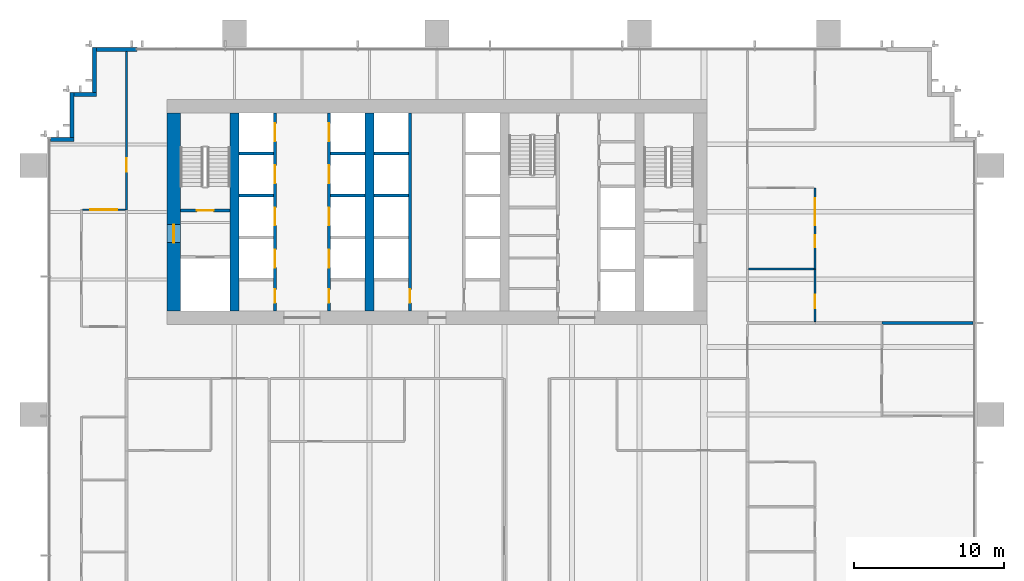
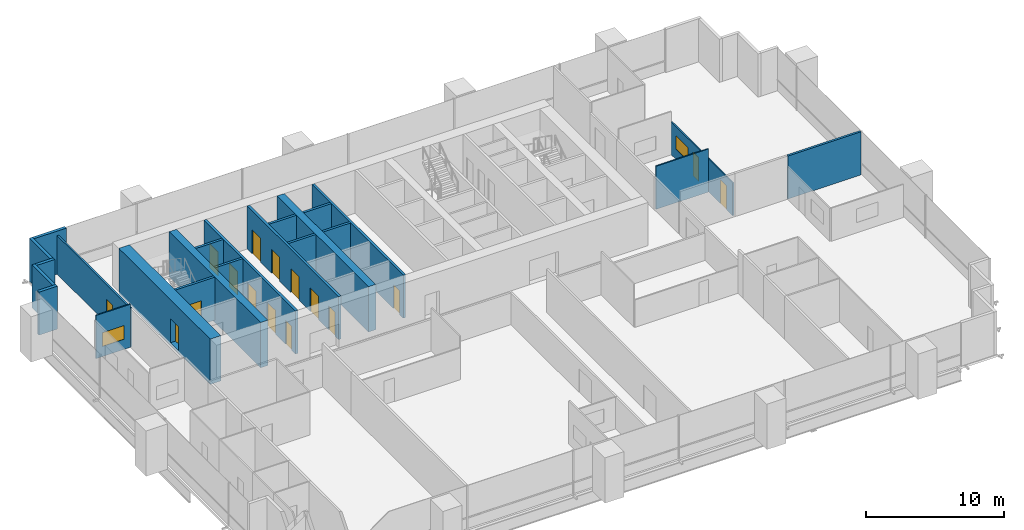
# One storey, part 14 of 17: 24 walls, 16 doors, 2 windows, 18 openings.
"""IFC4 building model written with IfcOpenShell, lengths in metres."""

from ifc_helpers import new_model, si_unit, direction, frame, frame_2d, origin, place, context, subcontext, project, spatial, rectangle, extrude, material, layer, layer_set, type_object, element, fill, save


model = new_model("IFC4")

# Units and contexts
model_context = context("Model", 3, precision=1e-05, world=origin(), true_north=direction((0.0, 1.0)))
body_context = subcontext(model_context, "Body", "Model", "MODEL_VIEW")
ifc_project = project(units=[si_unit("LENGTHUNIT", "METRE"), si_unit("AREAUNIT", "SQUARE_METRE"), si_unit("VOLUMEUNIT", "CUBIC_METRE"), si_unit("PLANEANGLEUNIT", "RADIAN"), si_unit("MASSUNIT", "GRAM", prefix="KILO")], contexts=[model_context])

# Site, building, storey
site_placement = place(None, origin())
site = spatial("IfcSite", under=ifc_project, at=site_placement, CompositionType="ELEMENT")
building_placement = place(site_placement, origin())
building = spatial("IfcBuilding", under=site, at=building_placement, Name="Rattan Terrace Tower", CompositionType="ELEMENT")
storey_placement = place(building_placement, frame((0.0, 0.0, 95.699951171875)))
storey = spatial("IfcBuildingStorey", under=building, at=storey_placement, Name="L21", CompositionType="ELEMENT", Elevation=95.699951171875)

# Wall, opening, door
ifc_material_1 = material(Name="Gypsum board partition")
ifc_layer_1 = layer(ifc_material_1, 0.199951171875)
ifc_layer_set_1 = layer_set([ifc_layer_1], Name="Core partition 200")
wall_type_1 = type_object("IfcWallType", Name="Core partition 200", PredefinedType="PARTITIONING", material=ifc_layer_set_1)
wall_1_placement = place(storey_placement, frame((-17.10009765625, 0.10009765625, 0.0), z_axis=(0.0, 0.0, 1.0), x_axis=(1.0, 0.0, 0.0)))
wall_1 = element("IfcWall", 1, at=wall_1_placement, inside=storey, type_object=wall_type_1, Name="Stair enclosure wall", PredefinedType="PARTITIONING", context=body_context, shape_type="SweptSolid", body=[
    extrude(rectangle(XDim=3.300048828125, YDim=0.199951171875, at=frame_2d((1.64990234375, 0.0))), origin(), (0.0, 0.0, 1.0), 3.800048828125),
])
opening_1_placement = place(wall_1_placement, frame((1.10009765625, 0.0, 0.0)))
opening_1 = element("IfcOpeningElement", 2, at=opening_1_placement, cuts=wall_1, Name="Opening L21-D002", PredefinedType="OPENING", context=body_context, shape_type="SweptSolid", body=[
    extrude(rectangle(XDim=1.10009765625, YDim=2.10009765625, at=frame_2d((0.550048828125, 1.050048828125))), frame((0.0, 0.110595703125, 0.0), z_axis=(0.0, -1.0, 0.0), x_axis=(1.0, 0.0, 0.0)), (0.0, 0.0, 1.0), 0.220947265625),
])
ifc_material_2 = material(Name="Hollow-metal fire door leaf")
door_type_1 = type_object("IfcDoorType", Name="Core stair door 1100", OperationType="NOTDEFINED", PredefinedType="DOOR", material=ifc_material_2)
door_1_placement = place(opening_1_placement, origin())
door_1 = element("IfcDoor", 3, at=door_1_placement, inside=storey, type_object=door_type_1, Name="Door L21-D002", OperationType="SINGLE_SWING_RIGHT", OverallHeight=2.10009765625, OverallWidth=1.10009765625, PredefinedType="DOOR", context=body_context, shape_type="SweptSolid", body=[
    extrude(rectangle(XDim=1.10009765625, YDim=2.10009765625, at=frame_2d((0.550048828125, 1.050048828125))), frame((0.0, 0.02490234375, 0.0), z_axis=(0.0, -1.0, 0.0), x_axis=(1.0, 0.0, 0.0)), (0.0, 0.0, 1.0), 0.050048828125),
])
fill(opening_1, door_1)

ifc_material_3 = material(Name="Concrete C70/85", Category="concrete")
ifc_layer_2 = layer(ifc_material_3, 0.89990234375)
ifc_layer_set_2 = layer_set([ifc_layer_2], Name="Core ring wall 900 C70/85")
wall_type_2 = type_object("IfcWallType", Name="Core ring wall 900 C70/85", PredefinedType="SHEAR", material=ifc_layer_set_2)
wall_2_placement = place(storey_placement, frame((-17.550048828125, -6.60009765625, -0.199951171875), z_axis=(0.0, 0.0, 1.0), x_axis=(0.0, 1.0, 0.0)))
wall_2 = element("IfcWall", 4, at=wall_2_placement, inside=storey, type_object=wall_type_2, Name="Rear core wall west", PredefinedType="SHEAR", context=body_context, shape_type="SweptSolid", body=[
    extrude(rectangle(XDim=13.2001953125, YDim=0.89990234375, at=frame_2d((6.60009765625, 0.0))), origin(), (0.0, 0.0, 1.0), 4.0),
])
opening_2_placement = place(wall_2_placement, frame((4.550048828125, 0.0, 0.199951171875)))
opening_2 = element("IfcOpeningElement", 5, at=opening_2_placement, cuts=wall_2, Name="Opening L21-D001", PredefinedType="OPENING", context=body_context, shape_type="SweptSolid", body=[
    extrude(rectangle(XDim=1.199951171875, YDim=2.10009765625, at=frame_2d((0.60009765625, 1.050048828125))), frame((0.0, 0.46044921875, 0.0), z_axis=(0.0, -1.0, 0.0), x_axis=(1.0, 0.0, 0.0)), (0.0, 0.0, 1.0), 0.9208984375),
])
ifc_material_4 = material(Name="Hollow-metal fire door leaf")
door_type_2 = type_object("IfcDoorType", Name="Core fire-fighting lobby door 1200", OperationType="NOTDEFINED", PredefinedType="DOOR", material=ifc_material_4)
door_2_placement = place(opening_2_placement, origin())
door_2 = element("IfcDoor", 6, at=door_2_placement, inside=storey, type_object=door_type_2, Name="Door L21-D001", OperationType="SINGLE_SWING_LEFT", OverallHeight=2.10009765625, OverallWidth=1.199951171875, PredefinedType="DOOR", context=body_context, shape_type="SweptSolid", body=[
    extrude(rectangle(XDim=1.199951171875, YDim=2.10009765625, at=frame_2d((0.60009765625, 1.050048828125))), frame((0.0, 0.02490234375, 0.0), z_axis=(0.0, -1.0, 0.0), x_axis=(1.0, 0.0, 0.0)), (0.0, 0.0, 1.0), 0.050048828125),
])
fill(opening_2, door_2)

# Walls
ifc_material_5 = material(Name="Concrete C70/85", Category="concrete")
ifc_layer_3 = layer(ifc_material_5, 0.60009765625)
ifc_layer_set_3 = layer_set([ifc_layer_3], Name="Core spine wall 600 C70/85")
wall_type_3 = type_object("IfcWallType", Name="Core spine wall 600 C70/85", PredefinedType="SHEAR", material=ifc_layer_set_3)
for number, where, z_axis, x_axis, name in (
    (7, (-13.5, -6.60009765625, -0.199951171875), (0.0, 0.0, 1.0), (0.0, 1.0, 0.0), "Core spine wall 1"),
    (8, (-4.5, -6.60009765625, -0.199951171875), (0.0, 0.0, 1.0), (0.0, 1.0, 0.0), "Core spine wall 2"),
):
    element("IfcWall", number, at=place(storey_placement, frame(where, z_axis=z_axis, x_axis=x_axis)), inside=storey, type_object=wall_type_3, Name=name, PredefinedType="SHEAR", context=body_context, shape_type="SweptSolid", body=[
        extrude(rectangle(XDim=13.2001953125, YDim=0.60009765625, at=frame_2d((6.60009765625, 0.0))), origin(), (0.0, 0.0, 1.0), 4.0),
    ])
ifc_material_6 = material(Name="Insulated aluminium-clad stud wall", Category="aluminium")
ifc_layer_4 = layer(ifc_material_6, 0.25)
ifc_layer_set_4 = layer_set([ifc_layer_4], Name="Facade Riser Wall 250")
wall_type_4 = type_object("IfcWallType", Name="Facade Riser Wall 250", PredefinedType="SOLIDWALL", material=ifc_layer_set_4)
wall_3_placement = place(storey_placement, frame((-20.0, 10.830078125, 0.0), z_axis=(0.0, 0.0, 1.0), x_axis=(-1.0, 0.0, 0.0)))
element("IfcWall", 9, at=wall_3_placement, inside=storey, type_object=wall_type_4, Name="Riser wall L21-11", PredefinedType="SOLIDWALL", context=body_context, shape_type="SweptSolid", body=[
    extrude(rectangle(XDim=2.705078125, YDim=0.25, at=frame_2d((1.3525390625, 0.0))), origin(), (0.0, 0.0, 1.0), 3.800048828125),
])
wall_4_placement = place(storey_placement, frame((-22.830078125, 10.955078125, 0.0), z_axis=(0.0, 0.0, 1.0), x_axis=(0.0, -1.0, 0.0)))
element("IfcWall", 10, at=wall_4_placement, inside=storey, type_object=wall_type_4, Name="Riser wall L21-12", PredefinedType="SOLIDWALL", context=body_context, shape_type="SweptSolid", body=[
    extrude(rectangle(XDim=3.0, YDim=0.25, at=frame_2d((1.5, 0.0))), origin(), (0.0, 0.0, 1.0), 3.800048828125),
])
wall_5_placement = place(storey_placement, frame((-22.705078125, 7.830078125, 0.0), z_axis=(0.0, 0.0, 1.0), x_axis=(-1.0, 0.0, 0.0)))
element("IfcWall", 11, at=wall_5_placement, inside=storey, type_object=wall_type_4, Name="Riser wall L21-13", PredefinedType="SOLIDWALL", context=body_context, shape_type="SweptSolid", body=[
    extrude(rectangle(XDim=1.5, YDim=0.25, at=frame_2d((0.75, 0.0))), origin(), (0.0, 0.0, 1.0), 3.800048828125),
])
wall_6_placement = place(storey_placement, frame((-24.330078125, 7.955078125, 0.0), z_axis=(0.0, 0.0, 1.0), x_axis=(0.0, -1.0, 0.0)))
element("IfcWall", 12, at=wall_6_placement, inside=storey, type_object=wall_type_4, Name="Riser wall L21-14", PredefinedType="SOLIDWALL", context=body_context, shape_type="SweptSolid", body=[
    extrude(rectangle(XDim=3.0, YDim=0.25, at=frame_2d((1.5, 0.0))), origin(), (0.0, 0.0, 1.0), 3.800048828125),
])
wall_7_placement = place(storey_placement, frame((-24.205078125, 4.830078125, 0.0), z_axis=(0.0, 0.0, 1.0), x_axis=(-1.0, 0.0, 0.0)))
element("IfcWall", 13, at=wall_7_placement, inside=storey, type_object=wall_type_4, Name="Riser wall L21-15", PredefinedType="SOLIDWALL", context=body_context, shape_type="SweptSolid", body=[
    extrude(rectangle(XDim=1.544921875, YDim=0.25, at=frame_2d((0.7724609375, 0.0))), origin(), (0.0, 0.0, 1.0), 3.800048828125),
])
ifc_material_7 = material(Name="Double steel stud acoustic partition, gypsum board, mineral wool, fire rated", Category="steel")
ifc_layer_5 = layer(ifc_material_7, 0.179931640625)
ifc_layer_set_5 = layer_set([ifc_layer_5], Name="Floors Acoustic Party Wall 180")
wall_type_5 = type_object("IfcWallType", Name="Floors Acoustic Party Wall 180", PredefinedType="PARTITIONING", material=ifc_layer_set_5)
wall_8_placement = place(storey_placement, frame((29.659912109375, -7.39990234375, 0.0), z_axis=(0.0, 0.0, 1.0), x_axis=(1.0, 0.0, 0.0)))
element("IfcWall", 14, at=wall_8_placement, inside=storey, type_object=wall_type_5, Name="pt-L21-045", PredefinedType="PARTITIONING", context=body_context, shape_type="SweptSolid", body=[
    extrude(rectangle(XDim=6.080078125, YDim=0.179931640625, at=frame_2d((3.0400390625, 0.0))), origin(), (0.0, 0.0, 1.0), 3.800048828125),
])

# Wall, opening, window
ifc_material_8 = material(Name="Gypsum board partition on steel studs", Category="steel")
ifc_layer_6 = layer(ifc_material_8, 0.10009765625)
ifc_layer_set_6 = layer_set([ifc_layer_6], Name="Floors Partition 100")
wall_type_6 = type_object("IfcWallType", Name="Floors Partition 100", PredefinedType="PARTITIONING", material=ifc_layer_set_6)
wall_9_placement = place(storey_placement, frame((-20.77490234375, 0.139892578125, 0.0), z_axis=(0.0, 0.0, 1.0), x_axis=(-1.0, 0.0, 0.0)))
wall_9 = element("IfcWall", 15, at=wall_9_placement, inside=storey, type_object=wall_type_6, Name="pt-L21-025", PredefinedType="PARTITIONING", context=body_context, shape_type="SweptSolid", body=[
    extrude(rectangle(XDim=2.875, YDim=0.10009765625, at=frame_2d((1.4375, 0.0))), origin(), (0.0, 0.0, 1.0), 3.800048828125),
])
opening_3_placement = place(wall_9_placement, frame((0.537109375, 0.0, 0.89990234375)))
opening_3 = element("IfcOpeningElement", 16, at=opening_3_placement, cuts=wall_9, Name="Opening L21-W102", PredefinedType="OPENING", context=body_context, shape_type="SweptSolid", body=[
    extrude(rectangle(XDim=1.800048828125, YDim=1.199951171875, at=frame_2d((0.89990234375, 0.60009765625))), frame((0.0, 0.060546875, 0.0), z_axis=(0.0, -1.0, 0.0), x_axis=(1.0, 0.0, 0.0)), (0.0, 0.0, 1.0), 0.12109375),
])
ifc_material_9 = material(Name="Glass, clear, fixed in aluminium frame", Category="aluminium")
window_type = type_object("IfcWindowType", Name="Interior Vision Window 1800x1200", PartitioningType="SINGLE_PANEL", PredefinedType="WINDOW", material=ifc_material_9)
window_1_placement = place(opening_3_placement, origin())
window_1 = element("IfcWindow", 17, at=window_1_placement, inside=storey, type_object=window_type, Name="w-L21-102", OverallHeight=1.199951171875, OverallWidth=1.800048828125, PartitioningType="SINGLE_PANEL", PredefinedType="WINDOW", context=body_context, shape_type="SweptSolid", body=[
    extrude(rectangle(XDim=1.800048828125, YDim=1.199951171875, at=frame_2d((0.89990234375, 0.60009765625))), frame((0.0, 0.030029296875, 0.0), z_axis=(0.0, -1.0, 0.0), x_axis=(1.0, 0.0, 0.0)), (0.0, 0.0, 1.0), 0.06005859375),
])
fill(opening_3, window_1)

# Wall, opening, door
wall_10_placement = place(storey_placement, frame((25.199951171875, -7.31005859375, 0.0), z_axis=(0.0, 0.0, 1.0), x_axis=(0.0, 1.0, 0.0)))
wall_10 = element("IfcWall", 18, at=wall_10_placement, inside=storey, type_object=wall_type_6, Name="pt-L21-051", PredefinedType="PARTITIONING", context=body_context, shape_type="SweptSolid", body=[
    extrude(rectangle(XDim=3.489990234375, YDim=0.10009765625, at=frame_2d((1.7451171875, 0.0))), origin(), (0.0, 0.0, 1.0), 2.900146484375),
])
opening_4_placement = place(wall_10_placement, frame((0.876953125, 0.0, 0.0)))
opening_4 = element("IfcOpeningElement", 19, at=opening_4_placement, cuts=wall_10, Name="Opening L21-D112", PredefinedType="OPENING", context=body_context, shape_type="SweptSolid", body=[
    extrude(rectangle(XDim=0.89990234375, YDim=2.10009765625, at=frame_2d((0.449951171875, 1.050048828125))), frame((0.0, 0.060546875, 0.0), z_axis=(0.0, -1.0, 0.0), x_axis=(1.0, 0.0, 0.0)), (0.0, 0.0, 1.0), 0.12109375),
])
ifc_material_10 = material(Name="Solid core timber door, painted", Category="wood")
door_type_3 = type_object("IfcDoorType", Name="Floors Door 900x2100", OperationType="NOTDEFINED", PredefinedType="DOOR", material=ifc_material_10)
door_3_placement = place(opening_4_placement, origin())
door_3 = element("IfcDoor", 20, at=door_3_placement, inside=storey, type_object=door_type_3, Name="d-L21-112", OperationType="SINGLE_SWING_LEFT", OverallHeight=2.10009765625, OverallWidth=0.89990234375, PredefinedType="DOOR", context=body_context, shape_type="SweptSolid", body=[
    extrude(rectangle(XDim=0.89990234375, YDim=2.10009765625, at=frame_2d((0.449951171875, 1.050048828125))), frame((0.0, 0.02490234375, 0.0), z_axis=(0.0, -1.0, 0.0), x_axis=(1.0, 0.0, 0.0)), (0.0, 0.0, 1.0), 0.050048828125),
])
fill(opening_4, door_3)

# Wall, openings, door, window
wall_11_placement = place(storey_placement, frame((25.199951171875, -3.820068359375, 0.0), z_axis=(0.0, 0.0, 1.0), x_axis=(0.0, 1.0, 0.0)))
wall_11 = element("IfcWall", 21, at=wall_11_placement, inside=storey, type_object=wall_type_6, Name="pt-L21-053", PredefinedType="PARTITIONING", context=body_context, shape_type="SweptSolid", body=[
    extrude(rectangle(XDim=5.420166015625, YDim=0.10009765625, at=frame_2d((2.7099609375, 0.0))), origin(), (0.0, 0.0, 1.0), 2.900146484375),
])
opening_5_placement = place(wall_11_placement, frame((1.486083984375, 0.0, 0.0)))
opening_5 = element("IfcOpeningElement", 22, at=opening_5_placement, cuts=wall_11, Name="Opening L21-D113", PredefinedType="OPENING", context=body_context, shape_type="SweptSolid", body=[
    extrude(rectangle(XDim=0.800048828125, YDim=2.10009765625, at=frame_2d((0.39990234375, 1.050048828125))), frame((0.0, 0.060546875, 0.0), z_axis=(0.0, -1.0, 0.0), x_axis=(1.0, 0.0, 0.0)), (0.0, 0.0, 1.0), 0.12109375),
])
opening_6_placement = place(wall_11_placement, frame((2.927978515625, 0.0, 0.89990234375)))
opening_6 = element("IfcOpeningElement", 23, at=opening_6_placement, cuts=wall_11, Name="Opening L21-W106", PredefinedType="OPENING", context=body_context, shape_type="SweptSolid", body=[
    extrude(rectangle(XDim=1.800048828125, YDim=1.199951171875, at=frame_2d((0.89990234375, 0.60009765625))), frame((0.0, 0.060546875, 0.0), z_axis=(0.0, -1.0, 0.0), x_axis=(1.0, 0.0, 0.0)), (0.0, 0.0, 1.0), 0.12109375),
])
ifc_material_11 = material(Name="Solid core timber door, painted", Category="wood")
door_type_4 = type_object("IfcDoorType", Name="Floors Store Door 800x2100", OperationType="NOTDEFINED", PredefinedType="DOOR", material=ifc_material_11)
door_4_placement = place(opening_5_placement, origin())
door_4 = element("IfcDoor", 24, at=door_4_placement, inside=storey, type_object=door_type_4, Name="d-L21-113", OperationType="SINGLE_SWING_LEFT", OverallHeight=2.10009765625, OverallWidth=0.800048828125, PredefinedType="DOOR", context=body_context, shape_type="SweptSolid", body=[
    extrude(rectangle(XDim=0.800048828125, YDim=2.10009765625, at=frame_2d((0.39990234375, 1.050048828125))), frame((0.0, 0.02490234375, 0.0), z_axis=(0.0, -1.0, 0.0), x_axis=(1.0, 0.0, 0.0)), (0.0, 0.0, 1.0), 0.050048828125),
])
fill(opening_5, door_4)
window_2_placement = place(opening_6_placement, origin())
window_2 = element("IfcWindow", 25, at=window_2_placement, inside=storey, type_object=window_type, Name="w-L21-106", OverallHeight=1.199951171875, OverallWidth=1.800048828125, PartitioningType="SINGLE_PANEL", PredefinedType="WINDOW", context=body_context, shape_type="SweptSolid", body=[
    extrude(rectangle(XDim=1.800048828125, YDim=1.199951171875, at=frame_2d((0.89990234375, 0.60009765625))), frame((0.0, 0.030029296875, 0.0), z_axis=(0.0, -1.0, 0.0), x_axis=(1.0, 0.0, 0.0)), (0.0, 0.0, 1.0), 0.06005859375),
])
fill(opening_6, window_2)

# Wall
wall_12_placement = place(storey_placement, frame((20.77490234375, -3.800048828125, 0.0), z_axis=(0.0, 0.0, 1.0), x_axis=(1.0, 0.0, 0.0)))
element("IfcWall", 26, at=wall_12_placement, inside=storey, type_object=wall_type_6, Name="pt-L21-056", PredefinedType="PARTITIONING", context=body_context, shape_type="SweptSolid", body=[
    extrude(rectangle(XDim=4.375, YDim=0.10009765625, at=frame_2d((2.1875, 0.0))), origin(), (0.0, 0.0, 1.0), 3.800048828125),
])

# Wall, opening, door
ifc_material_12 = material(Name="Gypsum board partition on steel studs, fire rated", Category="steel")
ifc_layer_7 = layer(ifc_material_12, 0.14990234375)
ifc_layer_set_7 = layer_set([ifc_layer_7], Name="Floors Tenancy Wall 150")
wall_type_7 = type_object("IfcWallType", Name="Floors Tenancy Wall 150", PredefinedType="PARTITIONING", material=ifc_layer_set_7)
wall_13_placement = place(storey_placement, frame((-20.699951171875, 0.1201171875, 0.0), z_axis=(0.0, 0.0, 1.0), x_axis=(0.0, 1.0, 0.0)))
wall_13 = element("IfcWall", 27, at=wall_13_placement, inside=storey, type_object=wall_type_7, Name="pt-L21-002", PredefinedType="PARTITIONING", context=body_context, shape_type="SweptSolid", body=[
    extrude(rectangle(XDim=10.619873046875, YDim=0.14990234375, at=frame_2d((5.31005859375, 0.0))), origin(), (0.0, 0.0, 1.0), 3.400146484375),
])
opening_7_placement = place(wall_13_placement, frame((2.554931640625, 0.0, 0.0)))
opening_7 = element("IfcOpeningElement", 28, at=opening_7_placement, cuts=wall_13, Name="Opening L21-D100", PredefinedType="OPENING", context=body_context, shape_type="SweptSolid", body=[
    extrude(rectangle(XDim=0.89990234375, YDim=2.10009765625, at=frame_2d((0.449951171875, 1.050048828125))), frame((0.0, 0.08544921875, 0.0), z_axis=(0.0, -1.0, 0.0), x_axis=(1.0, 0.0, 0.0)), (0.0, 0.0, 1.0), 0.1708984375),
])
ifc_material_13 = material(Name="Steel fire door set", Category="steel")
door_type_5 = type_object("IfcDoorType", Name="Floors Fire Door FD30S 900x2100", OperationType="NOTDEFINED", PredefinedType="DOOR", material=ifc_material_13)
door_5_placement = place(opening_7_placement, origin())
door_5 = element("IfcDoor", 29, at=door_5_placement, inside=storey, type_object=door_type_5, Name="d-L21-100", OperationType="SINGLE_SWING_LEFT", OverallHeight=2.10009765625, OverallWidth=0.89990234375, PredefinedType="DOOR", context=body_context, shape_type="SweptSolid", body=[
    extrude(rectangle(XDim=0.89990234375, YDim=2.10009765625, at=frame_2d((0.449951171875, 1.050048828125))), frame((0.0, 0.02490234375, 0.0), z_axis=(0.0, -1.0, 0.0), x_axis=(1.0, 0.0, 0.0)), (0.0, 0.0, 1.0), 0.050048828125),
])
fill(opening_7, door_5)

# Wall, openings, doors
ifc_material_14 = material(Name="Gypsum shaft wall system")
ifc_layer_8 = layer(ifc_material_14, 0.199951171875)
ifc_layer_set_8 = layer_set([ifc_layer_8], Name="Lift shaft wall 200")
wall_type_8 = type_object("IfcWallType", Name="Lift shaft wall 200", PredefinedType="PARTITIONING", material=ifc_layer_set_8)
wall_14_placement = place(storey_placement, frame((-10.800048828125, -6.60009765625, 0.0), z_axis=(0.0, 0.0, 1.0), x_axis=(0.0, 1.0, 0.0)))
wall_14 = element("IfcWall", 30, at=wall_14_placement, inside=storey, type_object=wall_type_8, Name="Lift shaft front wall", PredefinedType="PARTITIONING", context=body_context, shape_type="SweptSolid", body=[
    extrude(rectangle(XDim=13.2001953125, YDim=0.199951171875, at=frame_2d((6.60009765625, 0.0))), origin(), (0.0, 0.0, 1.0), 3.800048828125),
])
opening_8_placement = place(wall_14_placement, frame((0.550048828125, 0.0, 0.0)))
opening_8 = element("IfcOpeningElement", 31, at=opening_8_placement, cuts=wall_14, Name="Opening L21-D005", PredefinedType="OPENING", context=body_context, shape_type="SweptSolid", body=[
    extrude(rectangle(XDim=0.89990234375, YDim=2.10009765625, at=frame_2d((0.449951171875, 1.050048828125))), frame((0.0, 0.110595703125, 0.0), z_axis=(0.0, -1.0, 0.0), x_axis=(1.0, 0.0, 0.0)), (0.0, 0.0, 1.0), 0.220947265625),
])
opening_9_placement = place(wall_14_placement, frame((2.89990234375, 0.0, 0.0)))
opening_9 = element("IfcOpeningElement", 32, at=opening_9_placement, cuts=wall_14, Name="Opening L21-LD-LR1", PredefinedType="OPENING", context=body_context, shape_type="SweptSolid", body=[
    extrude(rectangle(XDim=1.199951171875, YDim=2.10009765625, at=frame_2d((0.60009765625, 1.050048828125))), frame((0.0, 0.110595703125, 0.0), z_axis=(0.0, -1.0, 0.0), x_axis=(1.0, 0.0, 0.0)), (0.0, 0.0, 1.0), 0.220947265625),
])
opening_10_placement = place(wall_14_placement, frame((5.699951171875, 0.0, 0.0)))
opening_10 = element("IfcOpeningElement", 33, at=opening_10_placement, cuts=wall_14, Name="Opening L21-LD-LR2", PredefinedType="OPENING", context=body_context, shape_type="SweptSolid", body=[
    extrude(rectangle(XDim=1.199951171875, YDim=2.10009765625, at=frame_2d((0.60009765625, 1.050048828125))), frame((0.0, 0.110595703125, 0.0), z_axis=(0.0, -1.0, 0.0), x_axis=(1.0, 0.0, 0.0)), (0.0, 0.0, 1.0), 0.220947265625),
])
opening_11_placement = place(wall_14_placement, frame((8.5, 0.0, 0.0)))
opening_11 = element("IfcOpeningElement", 34, at=opening_11_placement, cuts=wall_14, Name="Opening L21-LD-LR3", PredefinedType="OPENING", context=body_context, shape_type="SweptSolid", body=[
    extrude(rectangle(XDim=1.199951171875, YDim=2.10009765625, at=frame_2d((0.60009765625, 1.050048828125))), frame((0.0, 0.110595703125, 0.0), z_axis=(0.0, -1.0, 0.0), x_axis=(1.0, 0.0, 0.0)), (0.0, 0.0, 1.0), 0.220947265625),
])
opening_12_placement = place(wall_14_placement, frame((11.300048828125, 0.0, 0.0)))
opening_12 = element("IfcOpeningElement", 35, at=opening_12_placement, cuts=wall_14, Name="Opening L21-LD-LR4", PredefinedType="OPENING", context=body_context, shape_type="SweptSolid", body=[
    extrude(rectangle(XDim=1.199951171875, YDim=2.10009765625, at=frame_2d((0.60009765625, 1.050048828125))), frame((0.0, 0.110595703125, 0.0), z_axis=(0.0, -1.0, 0.0), x_axis=(1.0, 0.0, 0.0)), (0.0, 0.0, 1.0), 0.220947265625),
])
ifc_material_15 = material(Name="Brushed stainless landing door panel")
door_type_6 = type_object("IfcDoorType", Name="Core lift landing door 1200", OperationType="DOUBLE_DOOR_SLIDING", PredefinedType="DOOR", material=ifc_material_15)
door_6_placement = place(opening_9_placement, origin())
door_6 = element("IfcDoor", 36, at=door_6_placement, inside=storey, type_object=door_type_6, Name="Door L21-LD-LR1", OperationType="DOUBLE_DOOR_SLIDING", OverallHeight=2.10009765625, OverallWidth=1.199951171875, PredefinedType="DOOR", context=body_context, shape_type="SweptSolid", body=[
    extrude(rectangle(XDim=1.199951171875, YDim=2.10009765625, at=frame_2d((0.60009765625, 1.050048828125))), frame((0.0, 0.02490234375, 0.0), z_axis=(0.0, -1.0, 0.0), x_axis=(1.0, 0.0, 0.0)), (0.0, 0.0, 1.0), 0.050048828125),
])
fill(opening_9, door_6)
door_7_placement = place(opening_10_placement, origin())
door_7 = element("IfcDoor", 37, at=door_7_placement, inside=storey, type_object=door_type_6, Name="Door L21-LD-LR2", OperationType="DOUBLE_DOOR_SLIDING", OverallHeight=2.10009765625, OverallWidth=1.199951171875, PredefinedType="DOOR", context=body_context, shape_type="SweptSolid", body=[
    extrude(rectangle(XDim=1.199951171875, YDim=2.10009765625, at=frame_2d((0.60009765625, 1.050048828125))), frame((0.0, 0.02490234375, 0.0), z_axis=(0.0, -1.0, 0.0), x_axis=(1.0, 0.0, 0.0)), (0.0, 0.0, 1.0), 0.050048828125),
])
fill(opening_10, door_7)
door_8_placement = place(opening_11_placement, origin())
door_8 = element("IfcDoor", 38, at=door_8_placement, inside=storey, type_object=door_type_6, Name="Door L21-LD-LR3", OperationType="DOUBLE_DOOR_SLIDING", OverallHeight=2.10009765625, OverallWidth=1.199951171875, PredefinedType="DOOR", context=body_context, shape_type="SweptSolid", body=[
    extrude(rectangle(XDim=1.199951171875, YDim=2.10009765625, at=frame_2d((0.60009765625, 1.050048828125))), frame((0.0, 0.02490234375, 0.0), z_axis=(0.0, -1.0, 0.0), x_axis=(1.0, 0.0, 0.0)), (0.0, 0.0, 1.0), 0.050048828125),
])
fill(opening_11, door_8)
door_9_placement = place(opening_12_placement, origin())
door_9 = element("IfcDoor", 39, at=door_9_placement, inside=storey, type_object=door_type_6, Name="Door L21-LD-LR4", OperationType="DOUBLE_DOOR_SLIDING", OverallHeight=2.10009765625, OverallWidth=1.199951171875, PredefinedType="DOOR", context=body_context, shape_type="SweptSolid", body=[
    extrude(rectangle(XDim=1.199951171875, YDim=2.10009765625, at=frame_2d((0.60009765625, 1.050048828125))), frame((0.0, 0.02490234375, 0.0), z_axis=(0.0, -1.0, 0.0), x_axis=(1.0, 0.0, 0.0)), (0.0, 0.0, 1.0), 0.050048828125),
])
fill(opening_12, door_9)
ifc_material_16 = material(Name="Hollow-metal fire door leaf")
door_type_7 = type_object("IfcDoorType", Name="Core riser door 900", OperationType="NOTDEFINED", PredefinedType="DOOR", material=ifc_material_16)
door_10_placement = place(opening_8_placement, origin())
door_10 = element("IfcDoor", 40, at=door_10_placement, inside=storey, type_object=door_type_7, Name="Door L21-D005", OperationType="SINGLE_SWING_LEFT", OverallHeight=2.10009765625, OverallWidth=0.89990234375, PredefinedType="DOOR", context=body_context, shape_type="SweptSolid", body=[
    extrude(rectangle(XDim=0.89990234375, YDim=2.10009765625, at=frame_2d((0.449951171875, 1.050048828125))), frame((0.0, 0.02490234375, 0.0), z_axis=(0.0, -1.0, 0.0), x_axis=(1.0, 0.0, 0.0)), (0.0, 0.0, 1.0), 0.050048828125),
])
fill(opening_8, door_10)

wall_15_placement = place(storey_placement, frame((-7.199951171875, -6.60009765625, 0.0), z_axis=(0.0, 0.0, 1.0), x_axis=(0.0, 1.0, 0.0)))
wall_15 = element("IfcWall", 41, at=wall_15_placement, inside=storey, type_object=wall_type_8, Name="Lift shaft front wall", PredefinedType="PARTITIONING", context=body_context, shape_type="SweptSolid", body=[
    extrude(rectangle(XDim=13.2001953125, YDim=0.199951171875, at=frame_2d((6.60009765625, 0.0))), origin(), (0.0, 0.0, 1.0), 3.800048828125),
])
opening_13_placement = place(wall_15_placement, frame((0.550048828125, 0.0, 0.0)))
opening_13 = element("IfcOpeningElement", 42, at=opening_13_placement, cuts=wall_15, Name="Opening L21-D006", PredefinedType="OPENING", context=body_context, shape_type="SweptSolid", body=[
    extrude(rectangle(XDim=0.89990234375, YDim=2.10009765625, at=frame_2d((0.449951171875, 1.050048828125))), frame((0.0, 0.110595703125, 0.0), z_axis=(0.0, -1.0, 0.0), x_axis=(1.0, 0.0, 0.0)), (0.0, 0.0, 1.0), 0.220947265625),
])
opening_14_placement = place(wall_15_placement, frame((2.89990234375, 0.0, 0.0)))
opening_14 = element("IfcOpeningElement", 43, at=opening_14_placement, cuts=wall_15, Name="Opening L21-LD-LR5", PredefinedType="OPENING", context=body_context, shape_type="SweptSolid", body=[
    extrude(rectangle(XDim=1.199951171875, YDim=2.10009765625, at=frame_2d((0.60009765625, 1.050048828125))), frame((0.0, 0.110595703125, 0.0), z_axis=(0.0, -1.0, 0.0), x_axis=(1.0, 0.0, 0.0)), (0.0, 0.0, 1.0), 0.220947265625),
])
opening_15_placement = place(wall_15_placement, frame((5.699951171875, 0.0, 0.0)))
opening_15 = element("IfcOpeningElement", 44, at=opening_15_placement, cuts=wall_15, Name="Opening L21-LD-LR6", PredefinedType="OPENING", context=body_context, shape_type="SweptSolid", body=[
    extrude(rectangle(XDim=1.199951171875, YDim=2.10009765625, at=frame_2d((0.60009765625, 1.050048828125))), frame((0.0, 0.110595703125, 0.0), z_axis=(0.0, -1.0, 0.0), x_axis=(1.0, 0.0, 0.0)), (0.0, 0.0, 1.0), 0.220947265625),
])
opening_16_placement = place(wall_15_placement, frame((8.5, 0.0, 0.0)))
opening_16 = element("IfcOpeningElement", 45, at=opening_16_placement, cuts=wall_15, Name="Opening L21-LD-LR7", PredefinedType="OPENING", context=body_context, shape_type="SweptSolid", body=[
    extrude(rectangle(XDim=1.199951171875, YDim=2.10009765625, at=frame_2d((0.60009765625, 1.050048828125))), frame((0.0, 0.110595703125, 0.0), z_axis=(0.0, -1.0, 0.0), x_axis=(1.0, 0.0, 0.0)), (0.0, 0.0, 1.0), 0.220947265625),
])
opening_17_placement = place(wall_15_placement, frame((11.300048828125, 0.0, 0.0)))
opening_17 = element("IfcOpeningElement", 46, at=opening_17_placement, cuts=wall_15, Name="Opening L21-LD-LR8", PredefinedType="OPENING", context=body_context, shape_type="SweptSolid", body=[
    extrude(rectangle(XDim=1.199951171875, YDim=2.10009765625, at=frame_2d((0.60009765625, 1.050048828125))), frame((0.0, 0.110595703125, 0.0), z_axis=(0.0, -1.0, 0.0), x_axis=(1.0, 0.0, 0.0)), (0.0, 0.0, 1.0), 0.220947265625),
])
door_11_placement = place(opening_14_placement, origin())
door_11 = element("IfcDoor", 47, at=door_11_placement, inside=storey, type_object=door_type_6, Name="Door L21-LD-LR5", OperationType="DOUBLE_DOOR_SLIDING", OverallHeight=2.10009765625, OverallWidth=1.199951171875, PredefinedType="DOOR", context=body_context, shape_type="SweptSolid", body=[
    extrude(rectangle(XDim=1.199951171875, YDim=2.10009765625, at=frame_2d((0.60009765625, 1.050048828125))), frame((0.0, 0.02490234375, 0.0), z_axis=(0.0, -1.0, 0.0), x_axis=(1.0, 0.0, 0.0)), (0.0, 0.0, 1.0), 0.050048828125),
])
fill(opening_14, door_11)
door_12_placement = place(opening_15_placement, origin())
door_12 = element("IfcDoor", 48, at=door_12_placement, inside=storey, type_object=door_type_6, Name="Door L21-LD-LR6", OperationType="DOUBLE_DOOR_SLIDING", OverallHeight=2.10009765625, OverallWidth=1.199951171875, PredefinedType="DOOR", context=body_context, shape_type="SweptSolid", body=[
    extrude(rectangle(XDim=1.199951171875, YDim=2.10009765625, at=frame_2d((0.60009765625, 1.050048828125))), frame((0.0, 0.02490234375, 0.0), z_axis=(0.0, -1.0, 0.0), x_axis=(1.0, 0.0, 0.0)), (0.0, 0.0, 1.0), 0.050048828125),
])
fill(opening_15, door_12)
door_13_placement = place(opening_16_placement, origin())
door_13 = element("IfcDoor", 49, at=door_13_placement, inside=storey, type_object=door_type_6, Name="Door L21-LD-LR7", OperationType="DOUBLE_DOOR_SLIDING", OverallHeight=2.10009765625, OverallWidth=1.199951171875, PredefinedType="DOOR", context=body_context, shape_type="SweptSolid", body=[
    extrude(rectangle(XDim=1.199951171875, YDim=2.10009765625, at=frame_2d((0.60009765625, 1.050048828125))), frame((0.0, 0.02490234375, 0.0), z_axis=(0.0, -1.0, 0.0), x_axis=(1.0, 0.0, 0.0)), (0.0, 0.0, 1.0), 0.050048828125),
])
fill(opening_16, door_13)
door_14_placement = place(opening_17_placement, origin())
door_14 = element("IfcDoor", 50, at=door_14_placement, inside=storey, type_object=door_type_6, Name="Door L21-LD-LR8", OperationType="DOUBLE_DOOR_SLIDING", OverallHeight=2.10009765625, OverallWidth=1.199951171875, PredefinedType="DOOR", context=body_context, shape_type="SweptSolid", body=[
    extrude(rectangle(XDim=1.199951171875, YDim=2.10009765625, at=frame_2d((0.60009765625, 1.050048828125))), frame((0.0, 0.02490234375, 0.0), z_axis=(0.0, -1.0, 0.0), x_axis=(1.0, 0.0, 0.0)), (0.0, 0.0, 1.0), 0.050048828125),
])
fill(opening_17, door_14)
door_15_placement = place(opening_13_placement, origin())
door_15 = element("IfcDoor", 51, at=door_15_placement, inside=storey, type_object=door_type_7, Name="Door L21-D006", OperationType="SINGLE_SWING_RIGHT", OverallHeight=2.10009765625, OverallWidth=0.89990234375, PredefinedType="DOOR", context=body_context, shape_type="SweptSolid", body=[
    extrude(rectangle(XDim=0.89990234375, YDim=2.10009765625, at=frame_2d((0.449951171875, 1.050048828125))), frame((0.0, 0.02490234375, 0.0), z_axis=(0.0, -1.0, 0.0), x_axis=(1.0, 0.0, 0.0)), (0.0, 0.0, 1.0), 0.050048828125),
])
fill(opening_13, door_15)

# Walls
for number, where, z_axis, x_axis, name in (
    (52, (-13.199951171875, 1.10009765625, 0.0), (0.0, 0.0, 1.0), (1.0, 0.0, 0.0), "Lift shaft wall"),
    (53, (-13.199951171875, 3.89990234375, 0.0), (0.0, 0.0, 1.0), (1.0, 0.0, 0.0), "Lift shaft wall"),
    (54, (-7.10009765625, 1.10009765625, 0.0), (0.0, 0.0, 1.0), (1.0, 0.0, 0.0), "Lift shaft wall"),
    (55, (-7.10009765625, 3.89990234375, 0.0), (0.0, 0.0, 1.0), (1.0, 0.0, 0.0), "Lift shaft wall"),
):
    element("IfcWall", number, at=place(storey_placement, frame(where, z_axis=z_axis, x_axis=x_axis)), inside=storey, type_object=wall_type_8, Name=name, PredefinedType="PARTITIONING", context=body_context, shape_type="SweptSolid", body=[
        extrude(rectangle(XDim=2.300048828125, YDim=0.199951171875, at=frame_2d((1.14990234375, 0.0))), origin(), (0.0, 0.0, 1.0), 3.800048828125),
    ])

# Wall, opening, door
wall_16_placement = place(storey_placement, frame((-1.800048828125, -6.60009765625, 0.0), z_axis=(0.0, 0.0, 1.0), x_axis=(0.0, 1.0, 0.0)))
wall_16 = element("IfcWall", 56, at=wall_16_placement, inside=storey, type_object=wall_type_8, Name="Lift shaft front wall", PredefinedType="PARTITIONING", context=body_context, shape_type="SweptSolid", body=[
    extrude(rectangle(XDim=13.2001953125, YDim=0.199951171875, at=frame_2d((6.60009765625, 0.0))), origin(), (0.0, 0.0, 1.0), 3.800048828125),
])
opening_18_placement = place(wall_16_placement, frame((0.550048828125, 0.0, 0.0)))
opening_18 = element("IfcOpeningElement", 57, at=opening_18_placement, cuts=wall_16, Name="Opening L21-D008", PredefinedType="OPENING", context=body_context, shape_type="SweptSolid", body=[
    extrude(rectangle(XDim=0.89990234375, YDim=2.10009765625, at=frame_2d((0.449951171875, 1.050048828125))), frame((0.0, 0.110595703125, 0.0), z_axis=(0.0, -1.0, 0.0), x_axis=(1.0, 0.0, 0.0)), (0.0, 0.0, 1.0), 0.220947265625),
])
door_16_placement = place(opening_18_placement, origin())
door_16 = element("IfcDoor", 58, at=door_16_placement, inside=storey, type_object=door_type_7, Name="Door L21-D008", OperationType="SINGLE_SWING_LEFT", OverallHeight=2.10009765625, OverallWidth=0.89990234375, PredefinedType="DOOR", context=body_context, shape_type="SweptSolid", body=[
    extrude(rectangle(XDim=0.89990234375, YDim=2.10009765625, at=frame_2d((0.449951171875, 1.050048828125))), frame((0.0, 0.02490234375, 0.0), z_axis=(0.0, -1.0, 0.0), x_axis=(1.0, 0.0, 0.0)), (0.0, 0.0, 1.0), 0.050048828125),
])
fill(opening_18, door_16)

# Walls
for number, where, z_axis, x_axis, name in (
    (59, (-4.199951171875, 1.10009765625, 0.0), (0.0, 0.0, 1.0), (1.0, 0.0, 0.0), "Lift shaft wall"),
    (60, (-4.199951171875, 3.89990234375, 0.0), (0.0, 0.0, 1.0), (1.0, 0.0, 0.0), "Lift shaft wall"),
):
    element("IfcWall", number, at=place(storey_placement, frame(where, z_axis=z_axis, x_axis=x_axis)), inside=storey, type_object=wall_type_8, Name=name, PredefinedType="PARTITIONING", context=body_context, shape_type="SweptSolid", body=[
        extrude(rectangle(XDim=2.300048828125, YDim=0.199951171875, at=frame_2d((1.14990234375, 0.0))), origin(), (0.0, 0.0, 1.0), 3.800048828125),
    ])

save(model, "model.ifc")
